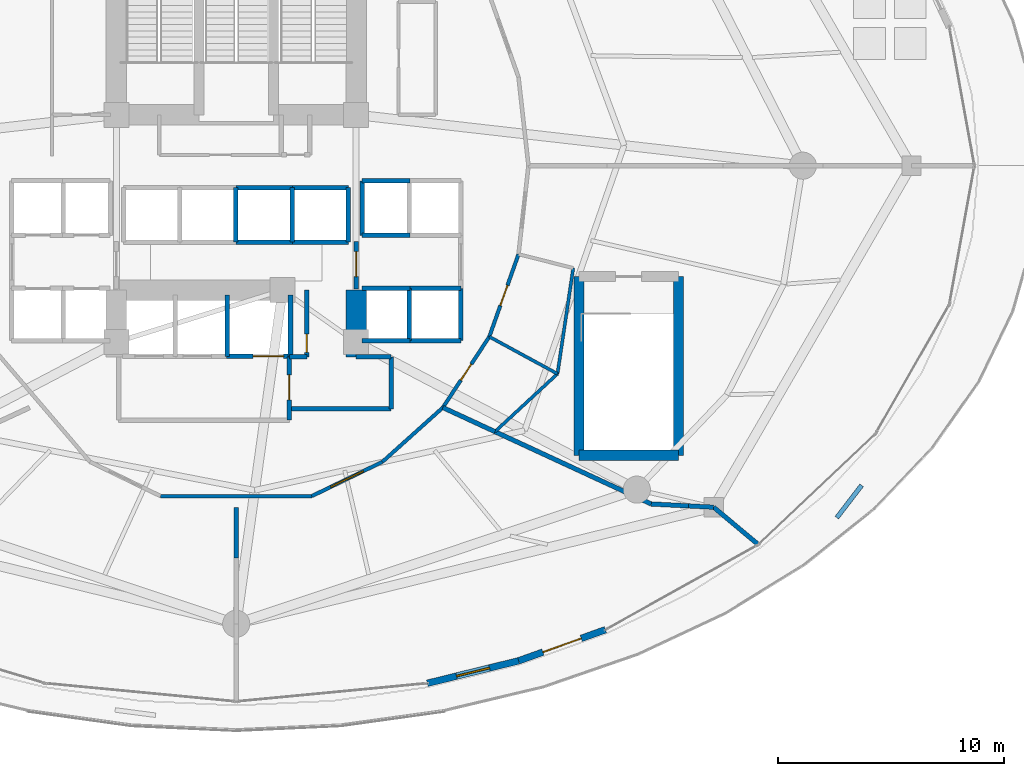
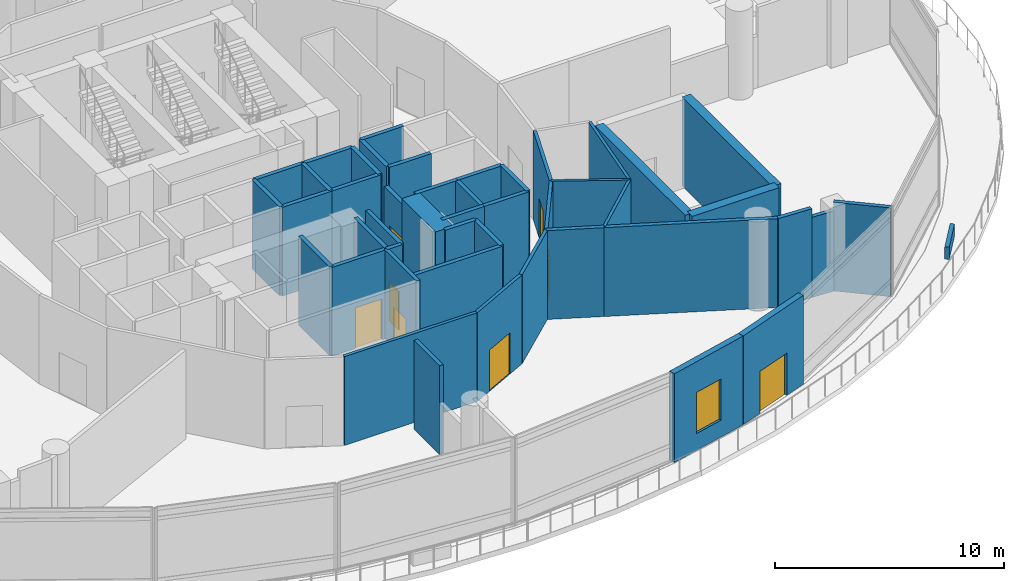
# One storey, part 27 of 34: 47 walls, 8 doors, 1 window, 9 openings.
"""IFC4 building model written with IfcOpenShell, lengths in metres."""

from ifc_helpers import new_model, si_unit, direction, frame, frame_2d, origin, place, context, subcontext, project, spatial, rectangle, extrude, material, layer, layer_set, type_object, element, fill, save


model = new_model("IFC4")

# Units and contexts
model_context = context("Model", 3, precision=1e-05, world=origin(), true_north=direction((0.0, 1.0)))
body_context = subcontext(model_context, "Body", "Model", "MODEL_VIEW")
ifc_project = project(units=[si_unit("LENGTHUNIT", "METRE"), si_unit("AREAUNIT", "SQUARE_METRE"), si_unit("VOLUMEUNIT", "CUBIC_METRE"), si_unit("PLANEANGLEUNIT", "RADIAN"), si_unit("MASSUNIT", "GRAM", prefix="KILO")], contexts=[model_context])

# Site, building, storey
site_placement = place(None, origin())
site = spatial("IfcSite", under=ifc_project, at=site_placement, CompositionType="ELEMENT")
building_placement = place(site_placement, origin())
building = spatial("IfcBuilding", under=site, at=building_placement, Name="Nuhasar Tower", CompositionType="ELEMENT")
storey_placement = place(building_placement, frame((0.0, 0.0, 16.0)))
storey = spatial("IfcBuildingStorey", under=building, at=storey_placement, Name="L03", CompositionType="ELEMENT", Elevation=16.0)

# Wall, opening, window
ifc_material_1 = material(Name="Concrete C45/55", Category="concrete")
ifc_layer_1 = layer(ifc_material_1, 0.239990234375)
ifc_material_2 = material(Name="Limestone Ashlar", Category="masonry")
ifc_layer_2 = layer(ifc_material_2, 0.06005859375)
ifc_layer_set_1 = layer_set([ifc_layer_1, ifc_layer_2], Name="Concrete C45/55")
wall_type_1 = type_object("IfcWallType", Name="WL-ARC-300", PredefinedType="STANDARD", material=ifc_layer_set_1)
wall_1_placement = place(storey_placement, frame((51.490966796875, 4.9130859375, 0.0), z_axis=(0.0, 0.0, 1.0), x_axis=(-0.970964611728, -0.239223165208, 0.0)))
wall_1 = element("IfcWall", 1, at=wall_1_placement, inside=storey, type_object=wall_type_1, Name="L03 Limestone Arcade Spandrel Pier 20-1", PredefinedType="STANDARD", context=body_context, shape_type="SweptSolid", body=[
    extrude(rectangle(XDim=4.163818359375, YDim=0.300048828125, at=frame_2d((2.08203125, 0.0))), origin(), (0.0, 0.0, 1.0), 4.739990234375),
])
opening_1_placement = place(wall_1_placement, frame((1.33203125, 0.0, 0.89990234375)))
opening_1 = element("IfcOpeningElement", 2, at=opening_1_placement, cuts=wall_1, Name="Opening WX-02", PredefinedType="OPENING", context=body_context, shape_type="SweptSolid", body=[
    extrude(rectangle(XDim=1.5, YDim=2.199951171875, at=frame_2d((0.75, 1.10009765625))), frame((0.0, 0.16015625, 0.0), z_axis=(0.0, -1.0, 0.0), x_axis=(1.0, 0.0, 0.0)), (0.0, 0.0, 1.0), 0.320068359375),
])
ifc_material_3 = material(Name="Glass Double Low-E", Category="glass")
window_type = type_object("IfcWindowType", Name="WIN-ARC-1500", PartitioningType="DOUBLE_PANEL_VERTICAL", PredefinedType="WINDOW", material=ifc_material_3)
window_placement = place(opening_1_placement, origin())
window = element("IfcWindow", 3, at=window_placement, inside=storey, type_object=window_type, Name="L03 Arcade Vision Window 20", OverallHeight=2.199951171875, OverallWidth=1.5, PartitioningType="DOUBLE_PANEL_VERTICAL", PredefinedType="WINDOW", context=body_context, shape_type="SweptSolid", body=[
    extrude(rectangle(XDim=1.5, YDim=2.199951171875, at=frame_2d((0.75, 1.10009765625))), frame((0.0, 0.030029296875, 0.0), z_axis=(0.0, -1.0, 0.0), x_axis=(1.0, 0.0, 0.0)), (0.0, 0.0, 1.0), 0.06005859375),
])
fill(opening_1, window)

# Wall, opening, door
wall_2_placement = place(storey_placement, frame((55.320068359375, 6.283935546875, 0.0), z_axis=(0.0, 0.0, 1.0), x_axis=(-0.941483594304, -0.337058810381, 0.0)))
wall_2 = element("IfcWall", 4, at=wall_2_placement, inside=storey, type_object=wall_type_1, Name="L03 Limestone Arcade Spandrel Pier 20-2", PredefinedType="STANDARD", context=body_context, shape_type="SweptSolid", body=[
    extrude(rectangle(XDim=4.067138671875, YDim=0.300048828125, at=frame_2d((2.03369140625, 0.0))), origin(), (0.0, 0.0, 1.0), 4.739990234375),
])
opening_2_placement = place(wall_2_placement, frame((1.134033203125, 0.0, 0.0)))
opening_2 = element("IfcOpeningElement", 5, at=opening_2_placement, cuts=wall_2, Name="Opening DX-02", PredefinedType="OPENING", context=body_context, shape_type="SweptSolid", body=[
    extrude(rectangle(XDim=1.800048828125, YDim=2.25, at=frame_2d((0.89990234375, 1.125))), frame((0.0, 0.16015625, 0.0), z_axis=(0.0, -1.0, 0.0), x_axis=(1.0, 0.0, 0.0)), (0.0, 0.0, 1.0), 0.320068359375),
])
ifc_material_4 = material(Name="Aluminium 6063-T6", Category="aluminium")
door_type_1 = type_object("IfcDoorType", Name="DR-TERR-1800", OperationType="DOUBLE_DOOR_SINGLE_SWING", PredefinedType="DOOR", material=ifc_material_4)
door_1_placement = place(opening_2_placement, origin())
door_1 = element("IfcDoor", 6, at=door_1_placement, inside=storey, type_object=door_type_1, Name="L03 Bustan Terrace Door 20", OperationType="DOUBLE_DOOR_SINGLE_SWING", OverallHeight=2.25, OverallWidth=1.800048828125, PredefinedType="DOOR", context=body_context, shape_type="SweptSolid", body=[
    extrude(rectangle(XDim=1.800048828125, YDim=2.25, at=frame_2d((0.89990234375, 1.125))), frame((0.0, 0.02490234375, 0.0), z_axis=(0.0, -1.0, 0.0), x_axis=(1.0, 0.0, 0.0)), (0.0, 0.0, 1.0), 0.050048828125),
])
fill(opening_2, door_1)

# Walls
ifc_material_5 = material(Name="Concrete C50/60", Category="concrete")
ifc_layer_3 = layer(ifc_material_5, 0.449951171875)
ifc_layer_set_2 = layer_set([ifc_layer_3], Name="Concrete C50/60")
wall_type_2 = type_object("IfcWallType", Name="WL-CORE-450", PredefinedType="SHEAR", material=ifc_layer_set_2)
wall_3_placement = place(storey_placement, frame((54.14990234375, 14.0, 0.0), z_axis=(0.0, 0.0, 1.0), x_axis=(1.0, 0.0, 0.0)))
element("IfcWall", 7, at=wall_3_placement, inside=storey, type_object=wall_type_2, Name="L03 Stairwell Shear Wall ST-05-S", PredefinedType="SHEAR", context=body_context, shape_type="SweptSolid", body=[
    extrude(rectangle(XDim=4.400146484375, YDim=0.449951171875, at=frame_2d((2.2001953125, 0.0))), origin(), (0.0, 0.0, 1.0), 4.739990234375),
])
for number, where, z_axis, x_axis, name in (
    (8, (54.14990234375, 14.0, 0.0), (0.0, 0.0, 1.0), (0.0, 1.0, 0.0), "L03 Stairwell Shear Wall ST-05-W"),
    (9, (58.550048828125, 14.0, 0.0), (0.0, 0.0, 1.0), (0.0, 1.0, 0.0), "L03 Stairwell Shear Wall ST-05-E"),
):
    element("IfcWall", number, at=place(storey_placement, frame(where, z_axis=z_axis, x_axis=x_axis)), inside=storey, type_object=wall_type_2, Name=name, PredefinedType="SHEAR", context=body_context, shape_type="SweptSolid", body=[
        extrude(rectangle(XDim=7.89990234375, YDim=0.449951171875, at=frame_2d((3.949951171875, 0.0))), origin(), (0.0, 0.0, 1.0), 4.739990234375),
    ])
ifc_material_6 = material(Name="Concrete C80/95", Category="concrete")
ifc_layer_4 = layer(ifc_material_6, 0.89990234375)
ifc_layer_set_3 = layer_set([ifc_layer_4], Name="Concrete C80/95")
wall_type_3 = type_object("IfcWallType", Name="WL-CORE-900", PredefinedType="SHEAR", material=ifc_layer_set_3)
wall_4_placement = place(storey_placement, frame((44.300048828125, 18.35009765625, 0.0), z_axis=(0.0, 0.0, 1.0), x_axis=(0.0, 1.0, 0.0)))
element("IfcWall", 10, at=wall_4_placement, inside=storey, type_object=wall_type_3, Name="L03 Core Shear Wall CW-SE CW-900", PredefinedType="SHEAR", context=body_context, shape_type="SweptSolid", body=[
    extrude(rectangle(XDim=2.949951171875, YDim=0.89990234375, at=frame_2d((1.47509765625, 0.0))), origin(), (0.0, 0.0, 1.0), 4.739990234375),
])
ifc_material_7 = material(Name="Gypsum Board", Category="gypsum")
ifc_layer_5 = layer(ifc_material_7, 0.159912109375)
ifc_layer_set_4 = layer_set([ifc_layer_5], Name="Gypsum Board")
wall_type_4 = type_object("IfcWallType", Name="WL-CORR-160", PredefinedType="PARTITIONING", material=ifc_layer_set_4)
wall_5_placement = place(storey_placement, frame((35.656005859375, 12.195068359375, 0.0), z_axis=(0.0, 0.0, 1.0), x_axis=(1.0, 0.0, 0.0)))
element("IfcWall", 11, at=wall_5_placement, inside=storey, type_object=wall_type_4, Name="L03 Interior Partition CORR-34", PredefinedType="PARTITIONING", context=body_context, shape_type="SweptSolid", body=[
    extrude(rectangle(XDim=6.68798828125, YDim=0.159912109375, at=frame_2d((3.343994140625, 0.0))), origin(), (0.0, 0.0, 1.0), 4.739990234375),
])

# Wall, opening, door
wall_6_placement = place(storey_placement, frame((45.4599609375, 13.7060546875, 0.0), z_axis=(0.0, 0.0, 1.0), x_axis=(-0.899789784655, -0.436323668199, 0.0)))
wall_6 = element("IfcWall", 12, at=wall_6_placement, inside=storey, type_object=wall_type_4, Name="L03 Interior Partition CORR-38", PredefinedType="PARTITIONING", context=body_context, shape_type="SweptSolid", body=[
    extrude(rectangle(XDim=3.462890625, YDim=0.159912109375, at=frame_2d((1.7314453125, 0.0))), origin(), (0.0, 0.0, 1.0), 4.739990234375),
])
opening_3_placement = place(wall_6_placement, frame((0.931884765625, 0.0, 0.0)))
opening_3 = element("IfcOpeningElement", 13, at=opening_3_placement, cuts=wall_6, Name="Opening DC-01", PredefinedType="OPENING", context=body_context, shape_type="SweptSolid", body=[
    extrude(rectangle(XDim=1.60009765625, YDim=2.199951171875, at=frame_2d((0.800048828125, 1.10009765625))), frame((0.0, 0.08984375, 0.0), z_axis=(0.0, -1.0, 0.0), x_axis=(1.0, 0.0, 0.0)), (0.0, 0.0, 1.0), 0.179931640625),
])
ifc_material_8 = material(Name="Steel S355", Category="steel")
door_type_2 = type_object("IfcDoorType", Name="DR-CORR-FD60-1600", OperationType="DOUBLE_DOOR_SINGLE_SWING", PredefinedType="DOOR", material=ifc_material_8)
door_2_placement = place(opening_3_placement, origin())
door_2 = element("IfcDoor", 14, at=door_2_placement, inside=storey, type_object=door_type_2, Name="L03 Garden Tea Conservatory Hall Door", OperationType="DOUBLE_DOOR_SINGLE_SWING", OverallHeight=2.199951171875, OverallWidth=1.60009765625, PredefinedType="DOOR", context=body_context, shape_type="SweptSolid", body=[
    extrude(rectangle(XDim=1.60009765625, YDim=2.199951171875, at=frame_2d((0.800048828125, 1.10009765625))), frame((0.0, 0.02490234375, 0.0), z_axis=(0.0, -1.0, 0.0), x_axis=(1.0, 0.0, 0.0)), (0.0, 0.0, 1.0), 0.050048828125),
])
fill(opening_3, door_2)

# Wall
wall_7_placement = place(storey_placement, frame((45.4599609375, 13.7060546875, 0.0), z_axis=(0.0, 0.0, 1.0), x_axis=(0.744066617248, 0.668105432621, 0.0)))
element("IfcWall", 15, at=wall_7_placement, inside=storey, type_object=wall_type_4, Name="L03 Interior Partition CORR-40", PredefinedType="PARTITIONING", context=body_context, shape_type="SweptSolid", body=[
    extrude(rectangle(XDim=3.596435546875, YDim=0.159912109375, at=frame_2d((1.79833984375, 0.0))), origin(), (0.0, 0.0, 1.0), 4.739990234375),
])

# Wall, opening, door
wall_8_placement = place(storey_placement, frame((50.18896484375, 19.239990234375, 0.0), z_axis=(0.0, 0.0, 1.0), x_axis=(-0.548318837904, -0.836269365694, 0.0)))
wall_8 = element("IfcWall", 16, at=wall_8_placement, inside=storey, type_object=wall_type_4, Name="L03 Interior Partition CORR-42", PredefinedType="PARTITIONING", context=body_context, shape_type="SweptSolid", body=[
    extrude(rectangle(XDim=3.744140625, YDim=0.159912109375, at=frame_2d((1.8720703125, 0.0))), origin(), (0.0, 0.0, 1.0), 4.739990234375),
])
opening_4_placement = place(wall_8_placement, frame((1.447021484375, 0.0, 0.0)))
opening_4 = element("IfcOpeningElement", 17, at=opening_4_placement, cuts=wall_8, Name="Opening DB-01", PredefinedType="OPENING", context=body_context, shape_type="SweptSolid", body=[
    extrude(rectangle(XDim=0.85009765625, YDim=2.10009765625, at=frame_2d((0.425048828125, 1.050048828125))), frame((0.0, 0.08984375, 0.0), z_axis=(0.0, -1.0, 0.0), x_axis=(1.0, 0.0, 0.0)), (0.0, 0.0, 1.0), 0.179931640625),
])
ifc_material_9 = material(Name="Timber Oak", Category="wood")
door_type_3 = type_object("IfcDoorType", Name="DR-BATH-850", OperationType="NOTDEFINED", PredefinedType="DOOR", material=ifc_material_9)
door_3_placement = place(opening_4_placement, origin())
door_3 = element("IfcDoor", 18, at=door_3_placement, inside=storey, type_object=door_type_3, Name="L03 Wellness Restroom Door", OperationType="SINGLE_SWING_LEFT", OverallHeight=2.10009765625, OverallWidth=0.85009765625, PredefinedType="DOOR", context=body_context, shape_type="SweptSolid", body=[
    extrude(rectangle(XDim=0.85009765625, YDim=2.10009765625, at=frame_2d((0.425048828125, 1.050048828125))), frame((0.0, 0.02490234375, 0.0), z_axis=(0.0, -1.0, 0.0), x_axis=(1.0, 0.0, 0.0)), (0.0, 0.0, 1.0), 0.050048828125),
])
fill(opening_4, door_3)

wall_9_placement = place(storey_placement, frame((51.47998046875, 22.886962890625, 0.0), z_axis=(0.0, 0.0, 1.0), x_axis=(-0.333704620558, -0.942677689467, 0.0)))
wall_9 = element("IfcWall", 19, at=wall_9_placement, inside=storey, type_object=wall_type_4, Name="L03 Interior Partition CORR-44", PredefinedType="PARTITIONING", context=body_context, shape_type="SweptSolid", body=[
    extrude(rectangle(XDim=3.86865234375, YDim=0.159912109375, at=frame_2d((1.934326171875, 0.0))), origin(), (0.0, 0.0, 1.0), 4.739990234375),
])
opening_5_placement = place(wall_9_placement, frame((1.458984375, 0.0, 0.0)))
opening_5 = element("IfcOpeningElement", 20, at=opening_5_placement, cuts=wall_9, Name="Opening DA-01", PredefinedType="OPENING", context=body_context, shape_type="SweptSolid", body=[
    extrude(rectangle(XDim=0.949951171875, YDim=2.10009765625, at=frame_2d((0.47509765625, 1.050048828125))), frame((0.0, 0.08984375, 0.0), z_axis=(0.0, -1.0, 0.0), x_axis=(1.0, 0.0, 0.0)), (0.0, 0.0, 1.0), 0.179931640625),
])
door_type_4 = type_object("IfcDoorType", Name="DR-ACCWC-950", OperationType="NOTDEFINED", PredefinedType="DOOR", material=ifc_material_9)
door_4_placement = place(opening_5_placement, origin())
door_4 = element("IfcDoor", 21, at=door_4_placement, inside=storey, type_object=door_type_4, Name="L03 Wellness Accessible WC Door", OperationType="SINGLE_SWING_RIGHT", OverallHeight=2.10009765625, OverallWidth=0.949951171875, PredefinedType="DOOR", context=body_context, shape_type="SweptSolid", body=[
    extrude(rectangle(XDim=0.949951171875, YDim=2.10009765625, at=frame_2d((0.47509765625, 1.050048828125))), frame((0.0, 0.02490234375, 0.0), z_axis=(0.0, -1.0, 0.0), x_axis=(1.0, 0.0, 0.0)), (0.0, 0.0, 1.0), 0.050048828125),
])
fill(opening_5, door_4)

ifc_layer_6 = layer(ifc_material_1, 0.199951171875)
ifc_layer_set_5 = layer_set([ifc_layer_6], Name="Concrete C45/55")
wall_type_5 = type_object("IfcWallType", Name="WL-LOBBY-200", PredefinedType="SOLIDWALL", material=ifc_layer_set_5)
wall_10_placement = place(storey_placement, frame((44.300048828125, 21.35009765625, 0.0), z_axis=(0.0, 0.0, 1.0), x_axis=(0.0, 1.0, 0.0)))
wall_10 = element("IfcWall", 22, at=wall_10_placement, inside=storey, type_object=wall_type_5, Name="L03 Interior Partition LLBH-E", PredefinedType="SOLIDWALL", context=body_context, shape_type="SweptSolid", body=[
    extrude(rectangle(XDim=2.099853515625, YDim=0.199951171875, at=frame_2d((1.0498046875, 0.0))), origin(), (0.0, 0.0, 1.0), 3.9599609375),
])
opening_6_placement = place(wall_10_placement, frame((0.550048828125, 0.0, 0.0)))
opening_6 = element("IfcOpeningElement", 23, at=opening_6_placement, cuts=wall_10, Name="Opening DS-02", PredefinedType="OPENING", context=body_context, shape_type="SweptSolid", body=[
    extrude(rectangle(XDim=1.10009765625, YDim=2.14990234375, at=frame_2d((0.550048828125, 1.074951171875))), frame((0.0, 0.10986328125, 0.0), z_axis=(0.0, -1.0, 0.0), x_axis=(1.0, 0.0, 0.0)), (0.0, 0.0, 1.0), 0.219970703125),
])
door_type_5 = type_object("IfcDoorType", Name="DR-FFL-FD120-1100", OperationType="NOTDEFINED", PredefinedType="DOOR", material=ifc_material_8)
door_5_placement = place(opening_6_placement, origin())
door_5 = element("IfcDoor", 24, at=door_5_placement, inside=storey, type_object=door_type_5, Name="L03 High-Rise Lobby East Door", OperationType="SINGLE_SWING_RIGHT", OverallHeight=2.14990234375, OverallWidth=1.10009765625, PredefinedType="DOOR", context=body_context, shape_type="SweptSolid", body=[
    extrude(rectangle(XDim=1.10009765625, YDim=2.14990234375, at=frame_2d((0.550048828125, 1.074951171875))), frame((0.0, 0.02490234375, 0.0), z_axis=(0.0, -1.0, 0.0), x_axis=(1.0, 0.0, 0.0)), (0.0, 0.0, 1.0), 0.050048828125),
])
fill(opening_6, door_5)

wall_11_placement = place(storey_placement, frame((41.35009765625, 15.550048828125, 0.0), z_axis=(0.0, 0.0, 1.0), x_axis=(0.0, 1.0, 0.0)))
wall_11 = element("IfcWall", 25, at=wall_11_placement, inside=storey, type_object=wall_type_5, Name="L03 Interior Partition FFL-E", PredefinedType="SOLIDWALL", context=body_context, shape_type="SweptSolid", body=[
    extrude(rectangle(XDim=2.800048828125, YDim=0.199951171875, at=frame_2d((1.39990234375, 0.0))), origin(), (0.0, 0.0, 1.0), 4.739990234375),
])
opening_7_placement = place(wall_11_placement, frame((0.89990234375, 0.0, 0.0)))
opening_7 = element("IfcOpeningElement", 26, at=opening_7_placement, cuts=wall_11, Name="Opening DS-02", PredefinedType="OPENING", context=body_context, shape_type="SweptSolid", body=[
    extrude(rectangle(XDim=1.10009765625, YDim=2.14990234375, at=frame_2d((0.550048828125, 1.074951171875))), frame((0.0, 0.10986328125, 0.0), z_axis=(0.0, -1.0, 0.0), x_axis=(1.0, 0.0, 0.0)), (0.0, 0.0, 1.0), 0.219970703125),
])
door_6_placement = place(opening_7_placement, origin())
door_6 = element("IfcDoor", 27, at=door_6_placement, inside=storey, type_object=door_type_5, Name="L03 Firefighting Lobby Door", OperationType="SINGLE_SWING_RIGHT", OverallHeight=2.14990234375, OverallWidth=1.10009765625, PredefinedType="DOOR", context=body_context, shape_type="SweptSolid", body=[
    extrude(rectangle(XDim=1.10009765625, YDim=2.14990234375, at=frame_2d((0.550048828125, 1.074951171875))), frame((0.0, 0.02490234375, 0.0), z_axis=(0.0, -1.0, 0.0), x_axis=(1.0, 0.0, 0.0)), (0.0, 0.0, 1.0), 0.050048828125),
])
fill(opening_7, door_6)

# Walls
wall_12_placement = place(storey_placement, frame((41.35009765625, 16.050048828125, 0.0), z_axis=(0.0, 0.0, 1.0), x_axis=(1.0, 0.0, 0.0)))
element("IfcWall", 28, at=wall_12_placement, inside=storey, type_object=wall_type_5, Name="L03 Interior Partition SVLV-S", PredefinedType="SOLIDWALL", context=body_context, shape_type="SweptSolid", body=[
    extrude(rectangle(XDim=4.5, YDim=0.199951171875, at=frame_2d((2.25, 0.0))), origin(), (0.0, 0.0, 1.0), 4.739990234375),
])
wall_13_placement = place(storey_placement, frame((45.85009765625, 16.050048828125, 0.0), z_axis=(0.0, 0.0, 1.0), x_axis=(0.0, 1.0, 0.0)))
element("IfcWall", 29, at=wall_13_placement, inside=storey, type_object=wall_type_5, Name="L03 Interior Partition SVLV-E", PredefinedType="SOLIDWALL", context=body_context, shape_type="SweptSolid", body=[
    extrude(rectangle(XDim=2.300048828125, YDim=0.199951171875, at=frame_2d((1.14990234375, 0.0))), origin(), (0.0, 0.0, 1.0), 4.739990234375),
])
wall_14_placement = place(storey_placement, frame((44.300048828125, 18.35009765625, 0.0), z_axis=(0.0, 0.0, 1.0), x_axis=(1.0, 0.0, 0.0)))
element("IfcWall", 30, at=wall_14_placement, inside=storey, type_object=wall_type_5, Name="L03 Interior Partition SVLV-N", PredefinedType="SOLIDWALL", context=body_context, shape_type="SweptSolid", body=[
    extrude(rectangle(XDim=1.550048828125, YDim=0.199951171875, at=frame_2d((0.77490234375, 0.0))), origin(), (0.0, 0.0, 1.0), 4.739990234375),
])
ifc_layer_7 = layer(ifc_material_1, 0.199951171875)
ifc_layer_set_6 = layer_set([ifc_layer_7], Name="Concrete C45/55")
wall_type_6 = type_object("IfcWallType", Name="WL-PLANTER-200", PredefinedType="ELEMENTEDWALL", material=ifc_layer_set_6)
wall_15_placement = place(storey_placement, frame((66.64892578125, 12.6689453125, 0.0), z_axis=(0.0, 0.0, 1.0), x_axis=(-0.608838635348, -0.793294091814, 0.0)))
element("IfcWall", 31, at=wall_15_placement, inside=storey, type_object=wall_type_6, Name="L03 Bustan Garden Planter Curb 06", PredefinedType="ELEMENTEDWALL", context=body_context, shape_type="SweptSolid", body=[
    extrude(rectangle(XDim=1.800048828125, YDim=0.199951171875, at=frame_2d((0.89990234375, 0.0))), origin(), (0.0, 0.0, 1.0), 0.64990234375),
])
ifc_layer_8 = layer(ifc_material_1, 0.199951171875)
ifc_layer_set_7 = layer_set([ifc_layer_8], Name="Concrete C45/55")
wall_type_7 = type_object("IfcWallType", Name="WL-SHAFT-200", PredefinedType="SOLIDWALL", material=ifc_layer_set_7)
for number, where, z_axis, x_axis, name in (
    (32, (44.570068359375, 23.719970703125, 0.0), (0.0, 0.0, 1.0), (1.0, 0.0, 0.0), "L03 Interior Partition SHF-PL-M01-S"),
    (33, (44.570068359375, 26.1298828125, 0.0), (0.0, 0.0, 1.0), (1.0, 0.0, 0.0), "L03 Interior Partition SHF-PL-M01-N"),
):
    element("IfcWall", number, at=place(storey_placement, frame(where, z_axis=z_axis, x_axis=x_axis)), inside=storey, type_object=wall_type_7, Name=name, PredefinedType="SOLIDWALL", context=body_context, shape_type="SweptSolid", body=[
        extrude(rectangle(XDim=2.10986328125, YDim=0.199951171875, at=frame_2d((1.054931640625, 0.0))), origin(), (0.0, 0.0, 1.0), 4.739990234375),
    ])
wall_16_placement = place(storey_placement, frame((44.570068359375, 23.719970703125, 0.0), z_axis=(0.0, 0.0, 1.0), x_axis=(0.0, 1.0, 0.0)))
element("IfcWall", 34, at=wall_16_placement, inside=storey, type_object=wall_type_7, Name="L03 Interior Partition SHF-PL-M01-W", PredefinedType="SOLIDWALL", context=body_context, shape_type="SweptSolid", body=[
    extrude(rectangle(XDim=2.409912109375, YDim=0.199951171875, at=frame_2d((1.205078125, 0.0))), origin(), (0.0, 0.0, 1.0), 4.739990234375),
])
for number, where, z_axis, x_axis, name in (
    (35, (44.570068359375, 19.070068359375, 0.0), (0.0, 0.0, 1.0), (1.0, 0.0, 0.0), "L03 Interior Partition SHF-PL-M03-S"),
    (36, (44.570068359375, 21.3798828125, 0.0), (0.0, 0.0, 1.0), (1.0, 0.0, 0.0), "L03 Interior Partition SHF-PL-M03-N"),
):
    element("IfcWall", number, at=place(storey_placement, frame(where, z_axis=z_axis, x_axis=x_axis)), inside=storey, type_object=wall_type_7, Name=name, PredefinedType="SOLIDWALL", context=body_context, shape_type="SweptSolid", body=[
        extrude(rectangle(XDim=2.10986328125, YDim=0.199951171875, at=frame_2d((1.054931640625, 0.0))), origin(), (0.0, 0.0, 1.0), 4.739990234375),
    ])
for number, where, z_axis, x_axis, name in (
    (37, (46.64990234375, 19.070068359375, 0.0), (0.0, 0.0, 1.0), (0.0, 1.0, 0.0), "L03 Interior Partition SHF-PL-M03-E"),
    (38, (46.6201171875, 19.070068359375, 0.0), (0.0, 0.0, 1.0), (1.0, 0.0, 0.0), "L03 Interior Partition SHF-PL-M04-S"),
    (39, (46.6201171875, 21.3798828125, 0.0), (0.0, 0.0, 1.0), (1.0, 0.0, 0.0), "L03 Interior Partition SHF-PL-M04-N"),
    (40, (48.929931640625, 19.070068359375, 0.0), (0.0, 0.0, 1.0), (0.0, 1.0, 0.0), "L03 Interior Partition SHF-PL-M04-E"),
):
    element("IfcWall", number, at=place(storey_placement, frame(where, z_axis=z_axis, x_axis=x_axis)), inside=storey, type_object=wall_type_7, Name=name, PredefinedType="SOLIDWALL", context=body_context, shape_type="SweptSolid", body=[
        extrude(rectangle(XDim=2.309814453125, YDim=0.199951171875, at=frame_2d((1.15478515625, 0.0))), origin(), (0.0, 0.0, 1.0), 4.739990234375),
    ])
wall_17_placement = place(storey_placement, frame((38.989990234375, 23.419921875, 0.0), z_axis=(0.0, 0.0, 1.0), x_axis=(0.0, 1.0, 0.0)))
element("IfcWall", 41, at=wall_17_placement, inside=storey, type_object=wall_type_7, Name="L03 Interior Partition SHF-PL-H02-E", PredefinedType="SOLIDWALL", context=body_context, shape_type="SweptSolid", body=[
    extrude(rectangle(XDim=2.41015625, YDim=0.199951171875, at=frame_2d((1.205078125, 0.0))), origin(), (0.0, 0.0, 1.0), 4.739990234375),
])
for number, where, z_axis, x_axis, name in (
    (42, (38.97998046875, 23.419921875, 0.0), (0.0, 0.0, 1.0), (1.0, 0.0, 0.0), "L03 Interior Partition SHF-PL-H03-S"),
    (43, (38.97998046875, 25.830078125, 0.0), (0.0, 0.0, 1.0), (1.0, 0.0, 0.0), "L03 Interior Partition SHF-PL-H03-N"),
):
    element("IfcWall", number, at=place(storey_placement, frame(where, z_axis=z_axis, x_axis=x_axis)), inside=storey, type_object=wall_type_7, Name=name, PredefinedType="SOLIDWALL", context=body_context, shape_type="SweptSolid", body=[
        extrude(rectangle(XDim=2.5, YDim=0.199951171875, at=frame_2d((1.25, 0.0))), origin(), (0.0, 0.0, 1.0), 4.739990234375),
    ])
wall_18_placement = place(storey_placement, frame((41.469970703125, 23.419921875, 0.0), z_axis=(0.0, 0.0, 1.0), x_axis=(0.0, 1.0, 0.0)))
element("IfcWall", 44, at=wall_18_placement, inside=storey, type_object=wall_type_7, Name="L03 Interior Partition SHF-PL-H03-E", PredefinedType="SOLIDWALL", context=body_context, shape_type="SweptSolid", body=[
    extrude(rectangle(XDim=2.41015625, YDim=0.199951171875, at=frame_2d((1.205078125, 0.0))), origin(), (0.0, 0.0, 1.0), 4.739990234375),
])
for number, where, z_axis, x_axis, name in (
    (45, (41.4599609375, 23.419921875, 0.0), (0.0, 0.0, 1.0), (1.0, 0.0, 0.0), "L03 Interior Partition SHF-PL-H04-S"),
    (46, (41.4599609375, 25.830078125, 0.0), (0.0, 0.0, 1.0), (1.0, 0.0, 0.0), "L03 Interior Partition SHF-PL-H04-N"),
):
    element("IfcWall", number, at=place(storey_placement, frame(where, z_axis=z_axis, x_axis=x_axis)), inside=storey, type_object=wall_type_7, Name=name, PredefinedType="SOLIDWALL", context=body_context, shape_type="SweptSolid", body=[
        extrude(rectangle(XDim=2.5, YDim=0.199951171875, at=frame_2d((1.25, 0.0))), origin(), (0.0, 0.0, 1.0), 4.739990234375),
    ])
wall_19_placement = place(storey_placement, frame((43.9599609375, 23.419921875, 0.0), z_axis=(0.0, 0.0, 1.0), x_axis=(0.0, 1.0, 0.0)))
element("IfcWall", 47, at=wall_19_placement, inside=storey, type_object=wall_type_7, Name="L03 Interior Partition SHF-PL-H04-E", PredefinedType="SOLIDWALL", context=body_context, shape_type="SweptSolid", body=[
    extrude(rectangle(XDim=2.41015625, YDim=0.199951171875, at=frame_2d((1.205078125, 0.0))), origin(), (0.0, 0.0, 1.0), 4.739990234375),
])
wall_20_placement = place(storey_placement, frame((38.60009765625, 18.3701171875, 0.0), z_axis=(0.0, 0.0, 1.0), x_axis=(0.0, 1.0, 0.0)))
element("IfcWall", 48, at=wall_20_placement, inside=storey, type_object=wall_type_7, Name="L03 Interior Partition SHF-FFL-02-E", PredefinedType="SOLIDWALL", context=body_context, shape_type="SweptSolid", body=[
    extrude(rectangle(XDim=2.7099609375, YDim=0.199951171875, at=frame_2d((1.35498046875, 0.0))), origin(), (0.0, 0.0, 1.0), 4.739990234375),
])

# Wall, opening, door
wall_21_placement = place(storey_placement, frame((38.570068359375, 18.3701171875, 0.0), z_axis=(0.0, 0.0, 1.0), x_axis=(1.0, 0.0, 0.0)))
wall_21 = element("IfcWall", 49, at=wall_21_placement, inside=storey, type_object=wall_type_7, Name="L03 Interior Partition SHF-SVL-01-S", PredefinedType="SOLIDWALL", context=body_context, shape_type="SweptSolid", body=[
    extrude(rectangle(XDim=2.829833984375, YDim=0.199951171875, at=frame_2d((1.4150390625, 0.0))), origin(), (0.0, 0.0, 1.0), 4.739990234375),
])
opening_8_placement = place(wall_21_placement, frame((1.179931640625, 0.0, 0.0)))
opening_8 = element("IfcOpeningElement", 50, at=opening_8_placement, cuts=wall_21, Name="Opening LD-S01", PredefinedType="OPENING", context=body_context, shape_type="SweptSolid", body=[
    extrude(rectangle(XDim=1.35009765625, YDim=2.179931640625, at=frame_2d((0.675048828125, 1.08984375))), frame((0.0, 0.10986328125, 0.0), z_axis=(0.0, -1.0, 0.0), x_axis=(1.0, 0.0, 0.0)), (0.0, 0.0, 1.0), 0.219970703125),
])
ifc_material_10 = material(Name="Stainless Steel 316L", Category="steel")
door_type_6 = type_object("IfcDoorType", Name="LD-SVL-1350", OperationType="DOUBLE_DOOR_SLIDING", PredefinedType="DOOR", material=ifc_material_10)
door_7_placement = place(opening_8_placement, origin())
door_7 = element("IfcDoor", 51, at=door_7_placement, inside=storey, type_object=door_type_6, Name="L03 Lift Landing Door SVL-01", OperationType="DOUBLE_DOOR_SLIDING", OverallHeight=2.179931640625, OverallWidth=1.35009765625, PredefinedType="DOOR", context=body_context, shape_type="SweptSolid", body=[
    extrude(rectangle(XDim=1.35009765625, YDim=2.179931640625, at=frame_2d((0.675048828125, 1.08984375))), frame((0.0, 0.02490234375, 0.0), z_axis=(0.0, -1.0, 0.0), x_axis=(1.0, 0.0, 0.0)), (0.0, 0.0, 1.0), 0.050048828125),
])
fill(opening_8, door_7)

# Wall
wall_22_placement = place(storey_placement, frame((41.39990234375, 18.3701171875, 0.0), z_axis=(0.0, 0.0, 1.0), x_axis=(0.0, 1.0, 0.0)))
element("IfcWall", 52, at=wall_22_placement, inside=storey, type_object=wall_type_7, Name="L03 Interior Partition SHF-SVL-01-E", PredefinedType="SOLIDWALL", context=body_context, shape_type="SweptSolid", body=[
    extrude(rectangle(XDim=2.7099609375, YDim=0.199951171875, at=frame_2d((1.35498046875, 0.0))), origin(), (0.0, 0.0, 1.0), 4.739990234375),
])

# Wall, opening, door
wall_23_placement = place(storey_placement, frame((42.1201171875, 18.35009765625, 0.0), z_axis=(0.0, 0.0, 1.0), x_axis=(0.0, 1.0, 0.0)))
wall_23 = element("IfcWall", 53, at=wall_23_placement, inside=storey, type_object=wall_type_7, Name="L03 Interior Partition RSR-E", PredefinedType="SOLIDWALL", context=body_context, shape_type="SweptSolid", body=[
    extrude(rectangle(XDim=2.949951171875, YDim=0.199951171875, at=frame_2d((1.47509765625, 0.0))), origin(), (0.0, 0.0, 1.0), 4.739990234375),
])
opening_9_placement = place(wall_23_placement, frame((0.199951171875, 0.0, 0.0)))
opening_9 = element("IfcOpeningElement", 54, at=opening_9_placement, cuts=wall_23, Name="Opening DM-01", PredefinedType="OPENING", context=body_context, shape_type="SweptSolid", body=[
    extrude(rectangle(XDim=0.800048828125, YDim=2.050048828125, at=frame_2d((0.39990234375, 1.02490234375))), frame((0.0, 0.10986328125, 0.0), z_axis=(0.0, -1.0, 0.0), x_axis=(1.0, 0.0, 0.0)), (0.0, 0.0, 1.0), 0.219970703125),
])
door_type_7 = type_object("IfcDoorType", Name="DR-RISER-FD60-800", OperationType="NOTDEFINED", PredefinedType="DOOR", material=ifc_material_8)
door_8_placement = place(opening_9_placement, origin())
door_8 = element("IfcDoor", 55, at=door_8_placement, inside=storey, type_object=door_type_7, Name="L03 MEP Riser Access Door", OperationType="SINGLE_SWING_LEFT", OverallHeight=2.050048828125, OverallWidth=0.800048828125, PredefinedType="DOOR", context=body_context, shape_type="SweptSolid", body=[
    extrude(rectangle(XDim=0.800048828125, YDim=2.050048828125, at=frame_2d((0.39990234375, 1.02490234375))), frame((0.0, 0.02490234375, 0.0), z_axis=(0.0, -1.0, 0.0), x_axis=(1.0, 0.0, 0.0)), (0.0, 0.0, 1.0), 0.050048828125),
])
fill(opening_9, door_8)

# Walls
wall_24_placement = place(storey_placement, frame((41.35009765625, 18.35009765625, 0.0), z_axis=(0.0, 0.0, 1.0), x_axis=(1.0, 0.0, 0.0)))
element("IfcWall", 56, at=wall_24_placement, inside=storey, type_object=wall_type_7, Name="L03 Interior Partition RSR-S", PredefinedType="SOLIDWALL", context=body_context, shape_type="SweptSolid", body=[
    extrude(rectangle(XDim=0.77001953125, YDim=0.199951171875, at=frame_2d((0.385009765625, 0.0))), origin(), (0.0, 0.0, 1.0), 4.739990234375),
])
ifc_material_11 = material(Name="Concrete C40/50 precast", Category="concrete")
ifc_layer_9 = layer(ifc_material_11, 0.199951171875)
ifc_layer_set_8 = layer_set([ifc_layer_9], Name="Concrete C40/50 precast")
wall_type_8 = type_object("IfcWallType", Name="WL-UNIT-200", PredefinedType="PARTITIONING", material=ifc_layer_set_8)
wall_25_placement = place(storey_placement, frame((39.0, 11.679931640625, 0.0), z_axis=(0.0, 0.0, 1.0), x_axis=(0.0, -1.0, 0.0)))
element("IfcWall", 57, at=wall_25_placement, inside=storey, type_object=wall_type_8, Name="L03 Interior Partition PRAD-36-S1", PredefinedType="PARTITIONING", context=body_context, shape_type="SweptSolid", body=[
    extrude(rectangle(XDim=2.23095703125, YDim=0.199951171875, at=frame_2d((1.115478515625, 0.0))), origin(), (0.0, 0.0, 1.0), 4.739990234375),
])
wall_26_placement = place(storey_placement, frame((48.135986328125, 16.10888671875, 0.0), z_axis=(0.0, 0.0, 1.0), x_axis=(0.907508335547, -0.420034071133, 0.0)))
element("IfcWall", 58, at=wall_26_placement, inside=storey, type_object=wall_type_8, Name="L03 Interior Partition PRAD-42-S1", PredefinedType="PARTITIONING", context=body_context, shape_type="SweptSolid", body=[
    extrude(rectangle(XDim=2.53759765625, YDim=0.199951171875, at=frame_2d((1.268798828125, 0.0))), origin(), (0.0, 0.0, 1.0), 4.739990234375),
])
wall_27_placement = place(storey_placement, frame((50.43896484375, 15.04296875, 0.0), z_axis=(0.0, 0.0, 1.0), x_axis=(0.907524397356, -0.419999366908, 0.0)))
element("IfcWall", 59, at=wall_27_placement, inside=storey, type_object=wall_type_8, Name="L03 Interior Partition PRAD-42-S2", PredefinedType="PARTITIONING", context=body_context, shape_type="SweptSolid", body=[
    extrude(rectangle(XDim=7.6142578125, YDim=0.199951171875, at=frame_2d((3.80712890625, 0.0))), origin(), (0.0, 0.0, 1.0), 4.739990234375),
])
wall_28_placement = place(storey_placement, frame((57.34912109375, 11.844970703125, 0.0), z_axis=(0.0, 0.0, 1.0), x_axis=(0.998692725363, -0.051115949639, 0.0)))
element("IfcWall", 60, at=wall_28_placement, inside=storey, type_object=wall_type_8, Name="L03 Interior Partition PRAD-42-S3", PredefinedType="PARTITIONING", context=body_context, shape_type="SweptSolid", body=[
    extrude(rectangle(XDim=1.64306640625, YDim=0.199951171875, at=frame_2d((0.821533203125, 0.0))), origin(), (0.0, 0.0, 1.0), 4.739990234375),
])
wall_29_placement = place(storey_placement, frame((58.989990234375, 11.760986328125, 0.0), z_axis=(0.0, 0.0, 1.0), x_axis=(0.998649603439, -0.051951607785, 0.0)))
element("IfcWall", 61, at=wall_29_placement, inside=storey, type_object=wall_type_8, Name="L03 Interior Partition PRAD-42-S3", PredefinedType="PARTITIONING", context=body_context, shape_type="SweptSolid", body=[
    extrude(rectangle(XDim=1.118408203125, YDim=0.199951171875, at=frame_2d((0.55908203125, 0.0))), origin(), (0.0, 0.0, 1.0), 4.280029296875),
])
wall_30_placement = place(storey_placement, frame((60.10693359375, 11.702880859375, 0.0), z_axis=(0.0, 0.0, 1.0), x_axis=(0.76695128647, -0.641705325038, 0.0)))
element("IfcWall", 62, at=wall_30_placement, inside=storey, type_object=wall_type_8, Name="L03 Interior Partition PRAD-42-S4", PredefinedType="PARTITIONING", context=body_context, shape_type="SweptSolid", body=[
    extrude(rectangle(XDim=2.5400390625, YDim=0.199951171875, at=frame_2d((1.27001953125, 0.0))), origin(), (0.0, 0.0, 1.0), 4.739990234375),
])
ifc_layer_10 = layer(ifc_material_11, 0.139892578125)
ifc_layer_set_9 = layer_set([ifc_layer_10], Name="Concrete C40/50 precast")
wall_type_9 = type_object("IfcWallType", Name="WL-WET-140", PredefinedType="PARTITIONING", material=ifc_layer_set_9)
wall_31_placement = place(storey_placement, frame((50.18896484375, 19.239990234375, 0.0), z_axis=(0.0, 0.0, 1.0), x_axis=(0.878392721738, -0.477939563541, 0.0)))
element("IfcWall", 63, at=wall_31_placement, inside=storey, type_object=wall_type_9, Name="L03 Interior Partition PWC-DIV1", PredefinedType="PARTITIONING", context=body_context, shape_type="SweptSolid", body=[
    extrude(rectangle(XDim=3.43115234375, YDim=0.139892578125, at=frame_2d((1.715576171875, 0.0))), origin(), (0.0, 0.0, 1.0), 4.739990234375),
])
wall_32_placement = place(storey_placement, frame((50.43896484375, 15.04296875, 0.0), z_axis=(0.0, 0.0, 1.0), x_axis=(0.734032370371, 0.679114481695, 0.0)))
element("IfcWall", 64, at=wall_32_placement, inside=storey, type_object=wall_type_9, Name="L03 Interior Partition PWC-BACK-42", PredefinedType="PARTITIONING", context=body_context, shape_type="SweptSolid", body=[
    extrude(rectangle(XDim=3.765380859375, YDim=0.139892578125, at=frame_2d((1.8828125, 0.0))), origin(), (0.0, 0.0, 1.0), 4.739990234375),
])
wall_33_placement = place(storey_placement, frame((53.202880859375, 17.60009765625, 0.0), z_axis=(0.0, 0.0, 1.0), x_axis=(0.147441370436, 0.989070797407, 0.0)))
element("IfcWall", 65, at=wall_33_placement, inside=storey, type_object=wall_type_9, Name="L03 Interior Partition PWC-BACK-44", PredefinedType="PARTITIONING", context=body_context, shape_type="SweptSolid", body=[
    extrude(rectangle(XDim=4.7275390625, YDim=0.139892578125, at=frame_2d((2.36376953125, 0.0))), origin(), (0.0, 0.0, 1.0), 4.739990234375),
])

save(model, "model.ifc")
